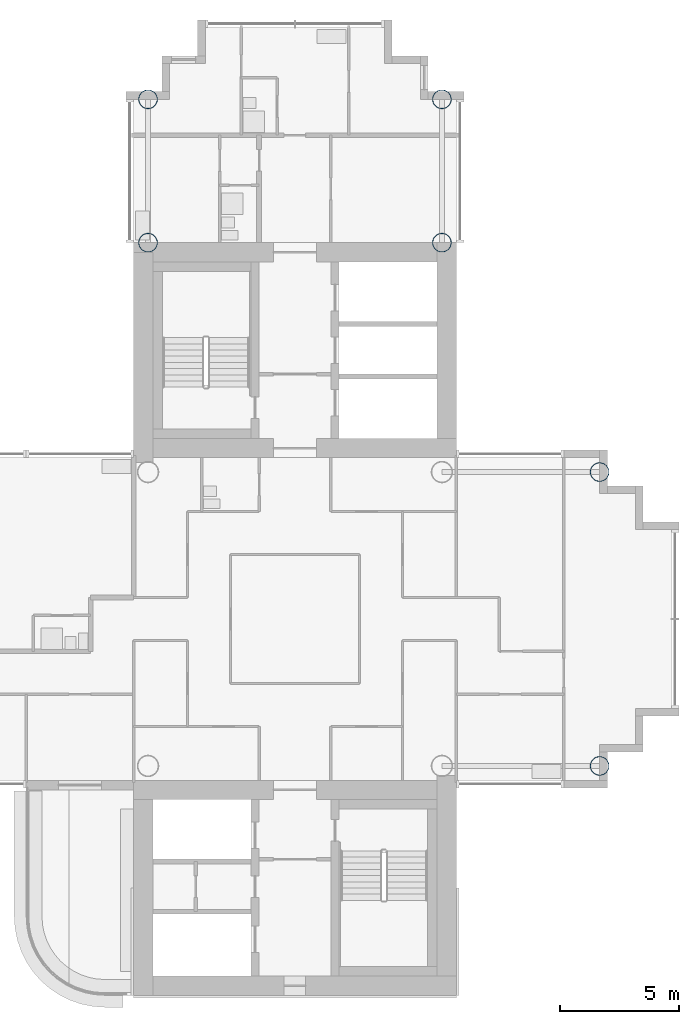
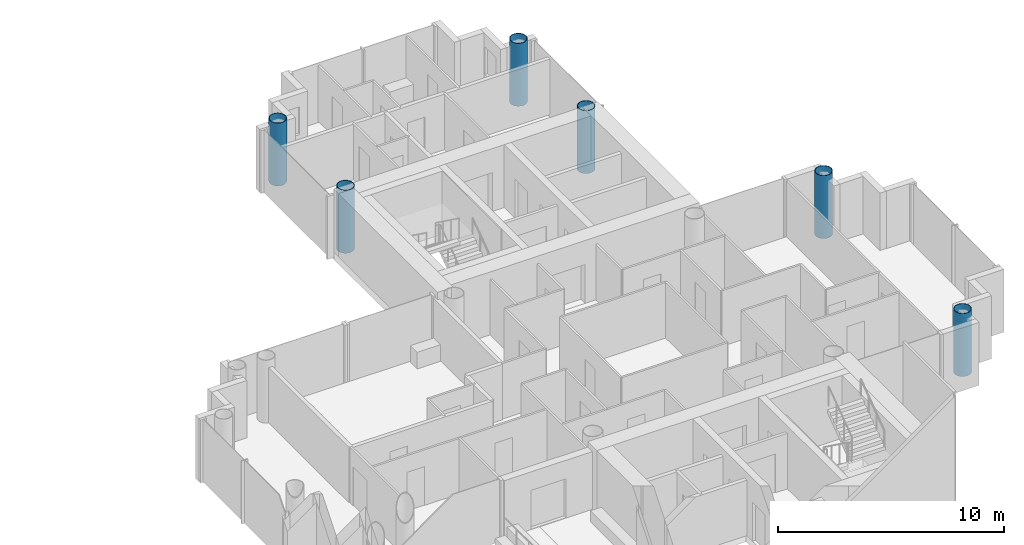
# One storey, part 2 of 19: 6 columns.
"""IFC4 building model written with IfcOpenShell, lengths in metres."""

from ifc_helpers import new_model, si_unit, direction, frame, origin, origin_2d, place, context, subcontext, project, spatial, hollow_circle, extrude, material, material_profile, profile_set, type_object, element, save


model = new_model("IFC4")

# Units and contexts
model_context = context("Model", 3, precision=1e-05, world=origin(), true_north=direction((0.0, 1.0)))
body_context = subcontext(model_context, "Body", "Model", "MODEL_VIEW")
ifc_project = project(units=[si_unit("LENGTHUNIT", "METRE"), si_unit("AREAUNIT", "SQUARE_METRE"), si_unit("VOLUMEUNIT", "CUBIC_METRE"), si_unit("PLANEANGLEUNIT", "RADIAN"), si_unit("MASSUNIT", "GRAM", prefix="KILO")], contexts=[model_context])

# Site, building, storey
site_placement = place(None, origin())
site = spatial("IfcSite", under=ifc_project, at=site_placement, CompositionType="ELEMENT")
building_placement = place(site_placement, origin())
building = spatial("IfcBuilding", under=site, at=building_placement, Name="Ipe Terrace Towers", CompositionType="ELEMENT")
storey_placement = place(building_placement, frame((0.0, 0.0, 147.300048828125)))
storey = spatial("IfcBuildingStorey", under=building, at=storey_placement, Name="L40", CompositionType="ELEMENT", Elevation=147.300048828125)

# Columns
ifc_material = material(Name="Steel S355 tube with Concrete C60/75 fill", Category="concrete")
ifc_material_profile = material_profile(ifc_material, hollow_circle(Radius=0.39990234375, WallThickness=0.028076171875, at=origin_2d()), Name="CHS-800x28")
ifc_profile_set = profile_set([ifc_material_profile], Name="Steel S355 tube with Concrete C60/75 fill")
column_type = type_object("IfcColumnType", Name="CH09 COLUMN CHS-800x28", PredefinedType="COLUMN", material=ifc_profile_set)
for number, where, z_axis, x_axis, name in (
    (1, (42.14990234375, 15.75, 0.0), (0.0, 0.0, 1.0), (1.0, 0.0, 0.0), "Column T2-C-A01"),
    (2, (29.85009765625, 15.75, 0.0), (0.0, 0.0, 1.0), (1.0, 0.0, 0.0), "Column T2-C-A02"),
    (3, (42.14990234375, 21.75, 0.0), (0.0, 0.0, 1.0), (1.0, 0.0, 0.0), "Column T2-C-A03"),
    (4, (29.85009765625, 21.75, 0.0), (0.0, 0.0, 1.0), (1.0, 0.0, 0.0), "Column T2-C-A04"),
    (5, (48.75, -6.14990234375, 0.0), (0.0, 0.0, 1.0), (1.0, 0.0, 0.0), "Column T2-C-D01"),
    (6, (48.75, 6.14990234375, 0.0), (0.0, 0.0, 1.0), (1.0, 0.0, 0.0), "Column T2-C-D02"),
):
    element("IfcColumn", number, at=place(storey_placement, frame(where, z_axis=z_axis, x_axis=x_axis)), inside=storey, type_object=column_type, Name=name, PredefinedType="COLUMN", context=body_context, shape_type="SweptSolid", body=[
        extrude(hollow_circle(Radius=0.39990234375, WallThickness=0.028076171875, at=origin_2d()), origin(), (0.0, 0.0, 1.0), 3.39990234375),
    ])

save(model, "model.ifc")
